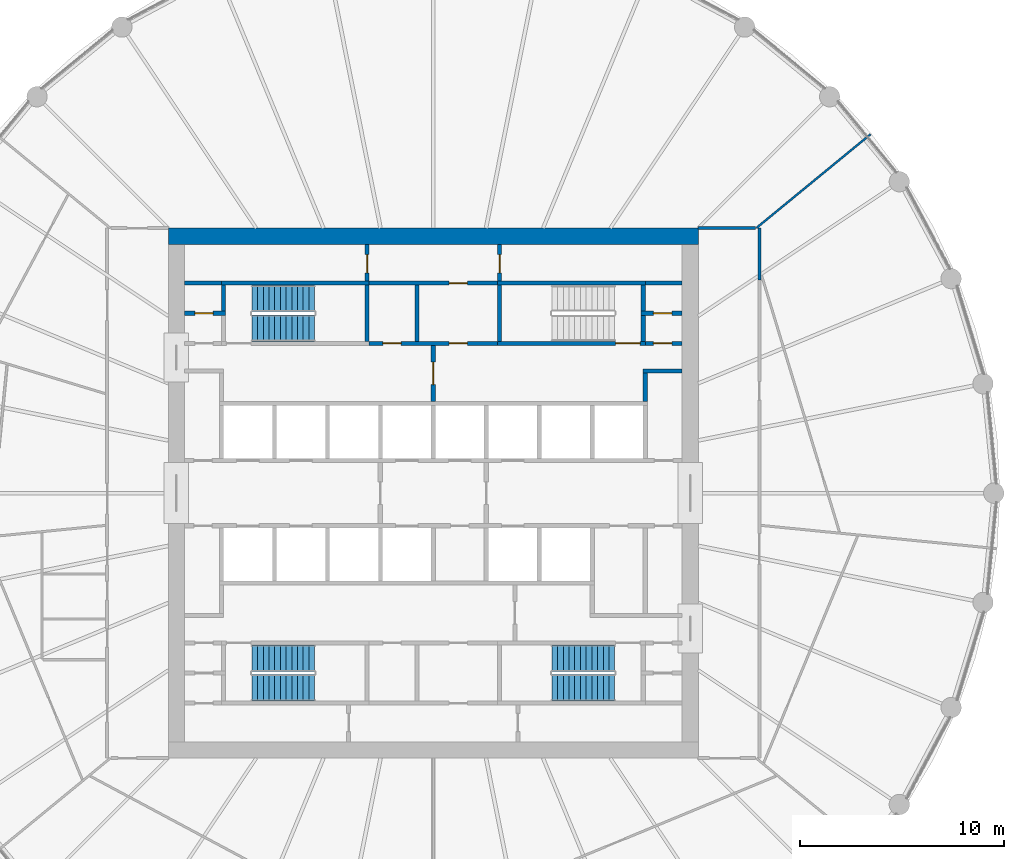
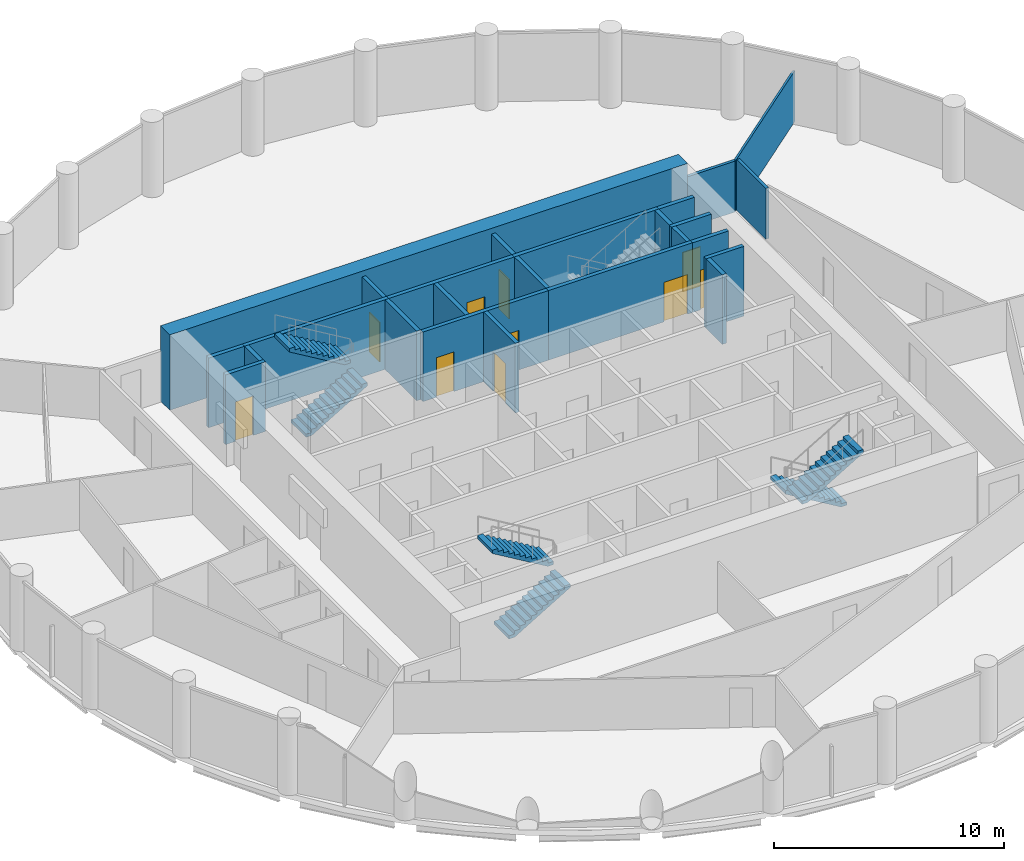
# One storey, part 7 of 9: 25 walls, 10 doors, 6 stair flights, 10 openings, 3 elements without a shape of their own.
"""IFC4 building model written with IfcOpenShell, lengths in metres."""

from ifc_helpers import new_model, si_unit, direction, frame, frame_2d, origin, place, context, subcontext, project, spatial, polyline, rectangle, outline, extrude, material, layer, layer_set, type_object, element, fill, aggregate, save


model = new_model("IFC4")

# Units and contexts
model_context = context("Model", 3, precision=1e-05, world=origin(), true_north=direction((0.0, 1.0)))
body_context = subcontext(model_context, "Body", "Model", "MODEL_VIEW")
ifc_project = project(units=[si_unit("LENGTHUNIT", "METRE"), si_unit("AREAUNIT", "SQUARE_METRE"), si_unit("VOLUMEUNIT", "CUBIC_METRE"), si_unit("PLANEANGLEUNIT", "RADIAN"), si_unit("MASSUNIT", "GRAM", prefix="KILO")], contexts=[model_context])

# Site, building, storey
site_placement = place(None, origin())
site = spatial("IfcSite", under=ifc_project, at=site_placement, CompositionType="ELEMENT")
building_placement = place(site_placement, origin())
building = spatial("IfcBuilding", under=site, at=building_placement, Name="Corvane Civic Tower", CompositionType="ELEMENT")
storey_placement = place(building_placement, frame((0.0, 0.0, 225.5)))
storey = spatial("IfcBuildingStorey", under=building, at=storey_placement, Name="L53", CompositionType="ELEMENT", Elevation=225.5)

# Wall
ifc_material_1 = material(Name="Concrete C50/60", Category="concrete")
ifc_layer_1 = layer(ifc_material_1, 0.800048828125)
ifc_layer_set_1 = layer_set([ifc_layer_1], Name="Concrete C50/60")
wall_type_1 = type_object("IfcWallType", Name="CORE WALL 800 C50/60", PredefinedType="SHEAR", material=ifc_layer_set_1)
wall_1_placement = place(storey_placement, frame((-13.0, 12.60009765625, 0.0), z_axis=(0.0, 0.0, 1.0), x_axis=(1.0, 0.0, 0.0)))
element("IfcWall", 1, at=wall_1_placement, inside=storey, type_object=wall_type_1, Name="W-L53-core-N", PredefinedType="SHEAR", context=body_context, shape_type="SweptSolid", body=[
    extrude(rectangle(XDim=26.0, YDim=0.800048828125, at=frame_2d((13.0, 0.0))), origin(), (0.0, 0.0, 1.0), 4.0),
])

# Wall, openings, doors
ifc_material_2 = material(Name="Concrete C30/37", Category="concrete")
ifc_layer_2 = layer(ifc_material_2, 0.199951171875)
ifc_layer_set_2 = layer_set([ifc_layer_2], Name="Concrete C30/37")
wall_type_2 = type_object("IfcWallType", Name="CR-WALL-200", PredefinedType="PARTITIONING", material=ifc_layer_set_2)
wall_2_placement = place(storey_placement, frame((-3.14990234375, 7.35009765625, 0.0), z_axis=(0.0, 0.0, 1.0), x_axis=(1.0, 0.0, 0.0)))
wall_2 = element("IfcWall", 2, at=wall_2_placement, inside=storey, type_object=wall_type_2, Name="L53 partition wall", PredefinedType="PARTITIONING", context=body_context, shape_type="SweptSolid", body=[
    extrude(rectangle(XDim=6.2998046875, YDim=0.199951171875, at=frame_2d((3.14990234375, 0.0))), origin(), (0.0, 0.0, 1.0), 3.699951171875),
])
opening_1_placement = place(wall_2_placement, frame((0.675048828125, 0.0, 0.0)))
opening_1 = element("IfcOpeningElement", 3, at=opening_1_placement, cuts=wall_2, Name="Opening L53.C07", PredefinedType="OPENING", context=body_context, shape_type="SweptSolid", body=[
    extrude(rectangle(XDim=0.89990234375, YDim=2.10009765625, at=frame_2d((0.449951171875, 1.050048828125))), frame((0.0, 0.10986328125, 0.0), z_axis=(0.0, -1.0, 0.0), x_axis=(1.0, 0.0, 0.0)), (0.0, 0.0, 1.0), 0.219970703125),
])
opening_2_placement = place(wall_2_placement, frame((3.925048828125, 0.0, 0.0)))
opening_2 = element("IfcOpeningElement", 4, at=opening_2_placement, cuts=wall_2, Name="Opening L53.C08", PredefinedType="OPENING", context=body_context, shape_type="SweptSolid", body=[
    extrude(rectangle(XDim=0.89990234375, YDim=2.10009765625, at=frame_2d((0.449951171875, 1.050048828125))), frame((0.0, 0.10986328125, 0.0), z_axis=(0.0, -1.0, 0.0), x_axis=(1.0, 0.0, 0.0)), (0.0, 0.0, 1.0), 0.219970703125),
])
ifc_material_3 = material(Name="Steel fire door leaf", Category="steel")
door_type_1 = type_object("IfcDoorType", Name="CR-DOOR-900", OperationType="SINGLE_SWING_LEFT", PredefinedType="DOOR", material=ifc_material_3)
door_1_placement = place(opening_1_placement, origin())
door_1 = element("IfcDoor", 5, at=door_1_placement, inside=storey, type_object=door_type_1, Name="L53 door", OperationType="SINGLE_SWING_LEFT", OverallHeight=2.10009765625, OverallWidth=0.89990234375, PredefinedType="DOOR", context=body_context, shape_type="SweptSolid", body=[
    extrude(rectangle(XDim=0.89990234375, YDim=2.10009765625, at=frame_2d((0.449951171875, 1.050048828125))), frame((0.0, 0.02490234375, 0.0), z_axis=(0.0, -1.0, 0.0), x_axis=(1.0, 0.0, 0.0)), (0.0, 0.0, 1.0), 0.050048828125),
])
fill(opening_1, door_1)
door_2_placement = place(opening_2_placement, origin())
door_2 = element("IfcDoor", 6, at=door_2_placement, inside=storey, type_object=door_type_1, Name="L53 door", OperationType="SINGLE_SWING_LEFT", OverallHeight=2.10009765625, OverallWidth=0.89990234375, PredefinedType="DOOR", context=body_context, shape_type="SweptSolid", body=[
    extrude(rectangle(XDim=0.89990234375, YDim=2.10009765625, at=frame_2d((0.449951171875, 1.050048828125))), frame((0.0, 0.02490234375, 0.0), z_axis=(0.0, -1.0, 0.0), x_axis=(1.0, 0.0, 0.0)), (0.0, 0.0, 1.0), 0.050048828125),
])
fill(opening_2, door_2)

# Wall, opening, door
wall_3_placement = place(storey_placement, frame((10.39990234375, 7.35009765625, 0.0), z_axis=(0.0, 0.0, 1.0), x_axis=(1.0, 0.0, 0.0)))
wall_3 = element("IfcWall", 7, at=wall_3_placement, inside=storey, type_object=wall_type_2, Name="L53 core partition wall", PredefinedType="PARTITIONING", context=body_context, shape_type="SweptSolid", body=[
    extrude(rectangle(XDim=1.800048828125, YDim=0.199951171875, at=frame_2d((0.89990234375, 0.0))), origin(), (0.0, 0.0, 1.0), 3.699951171875),
])
opening_3_placement = place(wall_3_placement, frame((0.39990234375, 0.0, 0.0)))
opening_3 = element("IfcOpeningElement", 8, at=opening_3_placement, cuts=wall_3, Name="Opening L53.C22", PredefinedType="OPENING", context=body_context, shape_type="SweptSolid", body=[
    extrude(rectangle(XDim=0.89990234375, YDim=2.10009765625, at=frame_2d((0.449951171875, 1.050048828125))), frame((0.0, 0.10986328125, 0.0), z_axis=(0.0, -1.0, 0.0), x_axis=(1.0, 0.0, 0.0)), (0.0, 0.0, 1.0), 0.219970703125),
])
door_3_placement = place(opening_3_placement, origin())
door_3 = element("IfcDoor", 9, at=door_3_placement, inside=storey, type_object=door_type_1, Name="L53 door", OperationType="SINGLE_SWING_LEFT", OverallHeight=2.10009765625, OverallWidth=0.89990234375, PredefinedType="DOOR", context=body_context, shape_type="SweptSolid", body=[
    extrude(rectangle(XDim=0.89990234375, YDim=2.10009765625, at=frame_2d((0.449951171875, 1.050048828125))), frame((0.0, 0.02490234375, 0.0), z_axis=(0.0, -1.0, 0.0), x_axis=(1.0, 0.0, 0.0)), (0.0, 0.0, 1.0), 0.050048828125),
])
fill(opening_3, door_3)

wall_4_placement = place(storey_placement, frame((-12.199951171875, 8.824951171875, 0.0), z_axis=(0.0, 0.0, 1.0), x_axis=(1.0, 0.0, 0.0)))
wall_4 = element("IfcWall", 10, at=wall_4_placement, inside=storey, type_object=wall_type_2, Name="L53 partition wall", PredefinedType="PARTITIONING", context=body_context, shape_type="SweptSolid", body=[
    extrude(rectangle(XDim=2.0, YDim=0.199951171875, at=frame_2d((1.0, 0.0))), origin(), (0.0, 0.0, 1.0), 3.699951171875),
])
opening_4_placement = place(wall_4_placement, frame((0.5, 0.0, 0.0)))
opening_4 = element("IfcOpeningElement", 11, at=opening_4_placement, cuts=wall_4, Name="Opening L53.C18", PredefinedType="OPENING", context=body_context, shape_type="SweptSolid", body=[
    extrude(rectangle(XDim=0.89990234375, YDim=2.10009765625, at=frame_2d((0.449951171875, 1.050048828125))), frame((0.0, 0.10986328125, 0.0), z_axis=(0.0, -1.0, 0.0), x_axis=(1.0, 0.0, 0.0)), (0.0, 0.0, 1.0), 0.219970703125),
])
door_4_placement = place(opening_4_placement, origin())
door_4 = element("IfcDoor", 12, at=door_4_placement, inside=storey, type_object=door_type_1, Name="L53 door", OperationType="SINGLE_SWING_LEFT", OverallHeight=2.10009765625, OverallWidth=0.89990234375, PredefinedType="DOOR", context=body_context, shape_type="SweptSolid", body=[
    extrude(rectangle(XDim=0.89990234375, YDim=2.10009765625, at=frame_2d((0.449951171875, 1.050048828125))), frame((0.0, 0.02490234375, 0.0), z_axis=(0.0, -1.0, 0.0), x_axis=(1.0, 0.0, 0.0)), (0.0, 0.0, 1.0), 0.050048828125),
])
fill(opening_4, door_4)

wall_5_placement = place(storey_placement, frame((10.199951171875, 8.824951171875, 0.0), z_axis=(0.0, 0.0, 1.0), x_axis=(1.0, 0.0, 0.0)))
wall_5 = element("IfcWall", 13, at=wall_5_placement, inside=storey, type_object=wall_type_2, Name="L53 partition wall", PredefinedType="PARTITIONING", context=body_context, shape_type="SweptSolid", body=[
    extrude(rectangle(XDim=2.0, YDim=0.199951171875, at=frame_2d((1.0, 0.0))), origin(), (0.0, 0.0, 1.0), 3.699951171875),
])
opening_5_placement = place(wall_5_placement, frame((0.60009765625, 0.0, 0.0)))
opening_5 = element("IfcOpeningElement", 14, at=opening_5_placement, cuts=wall_5, Name="Opening L53.C23", PredefinedType="OPENING", context=body_context, shape_type="SweptSolid", body=[
    extrude(rectangle(XDim=0.89990234375, YDim=2.10009765625, at=frame_2d((0.449951171875, 1.050048828125))), frame((0.0, 0.10986328125, 0.0), z_axis=(0.0, -1.0, 0.0), x_axis=(1.0, 0.0, 0.0)), (0.0, 0.0, 1.0), 0.219970703125),
])
door_5_placement = place(opening_5_placement, origin())
door_5 = element("IfcDoor", 15, at=door_5_placement, inside=storey, type_object=door_type_1, Name="L53 door", OperationType="SINGLE_SWING_LEFT", OverallHeight=2.10009765625, OverallWidth=0.89990234375, PredefinedType="DOOR", context=body_context, shape_type="SweptSolid", body=[
    extrude(rectangle(XDim=0.89990234375, YDim=2.10009765625, at=frame_2d((0.449951171875, 1.050048828125))), frame((0.0, 0.02490234375, 0.0), z_axis=(0.0, -1.0, 0.0), x_axis=(1.0, 0.0, 0.0)), (0.0, 0.0, 1.0), 0.050048828125),
])
fill(opening_5, door_5)

wall_6_placement = place(storey_placement, frame((-3.14990234375, 10.300048828125, 0.0), z_axis=(0.0, 0.0, 1.0), x_axis=(1.0, 0.0, 0.0)))
wall_6 = element("IfcWall", 16, at=wall_6_placement, inside=storey, type_object=wall_type_2, Name="L53 partition wall", PredefinedType="PARTITIONING", context=body_context, shape_type="SweptSolid", body=[
    extrude(rectangle(XDim=6.2998046875, YDim=0.199951171875, at=frame_2d((3.14990234375, 0.0))), origin(), (0.0, 0.0, 1.0), 3.699951171875),
])
opening_6_placement = place(wall_6_placement, frame((3.925048828125, 0.0, 0.0)))
opening_6 = element("IfcOpeningElement", 17, at=opening_6_placement, cuts=wall_6, Name="Opening L53.C12", PredefinedType="OPENING", context=body_context, shape_type="SweptSolid", body=[
    extrude(rectangle(XDim=0.89990234375, YDim=2.10009765625, at=frame_2d((0.449951171875, 1.050048828125))), frame((0.0, 0.10986328125, 0.0), z_axis=(0.0, -1.0, 0.0), x_axis=(1.0, 0.0, 0.0)), (0.0, 0.0, 1.0), 0.219970703125),
])
door_6_placement = place(opening_6_placement, origin())
door_6 = element("IfcDoor", 18, at=door_6_placement, inside=storey, type_object=door_type_1, Name="L53 door", OperationType="SINGLE_SWING_LEFT", OverallHeight=2.10009765625, OverallWidth=0.89990234375, PredefinedType="DOOR", context=body_context, shape_type="SweptSolid", body=[
    extrude(rectangle(XDim=0.89990234375, YDim=2.10009765625, at=frame_2d((0.449951171875, 1.050048828125))), frame((0.0, 0.02490234375, 0.0), z_axis=(0.0, -1.0, 0.0), x_axis=(1.0, 0.0, 0.0)), (0.0, 0.0, 1.0), 0.050048828125),
])
fill(opening_6, door_6)

wall_7_placement = place(storey_placement, frame((-3.25, 10.39990234375, 0.0), z_axis=(0.0, 0.0, 1.0), x_axis=(0.0, 1.0, 0.0)))
wall_7 = element("IfcWall", 19, at=wall_7_placement, inside=storey, type_object=wall_type_2, Name="L53 partition wall", PredefinedType="PARTITIONING", context=body_context, shape_type="SweptSolid", body=[
    extrude(rectangle(XDim=1.800048828125, YDim=0.199951171875, at=frame_2d((0.89990234375, 0.0))), origin(), (0.0, 0.0, 1.0), 3.699951171875),
])
opening_7_placement = place(wall_7_placement, frame((0.39990234375, 0.0, 0.0)))
opening_7 = element("IfcOpeningElement", 20, at=opening_7_placement, cuts=wall_7, Name="Opening L53.C11", PredefinedType="OPENING", context=body_context, shape_type="SweptSolid", body=[
    extrude(rectangle(XDim=0.89990234375, YDim=2.10009765625, at=frame_2d((0.449951171875, 1.050048828125))), frame((0.0, 0.10986328125, 0.0), z_axis=(0.0, -1.0, 0.0), x_axis=(1.0, 0.0, 0.0)), (0.0, 0.0, 1.0), 0.219970703125),
])
door_7_placement = place(opening_7_placement, origin())
door_7 = element("IfcDoor", 21, at=door_7_placement, inside=storey, type_object=door_type_1, Name="L53 door", OperationType="SINGLE_SWING_LEFT", OverallHeight=2.10009765625, OverallWidth=0.89990234375, PredefinedType="DOOR", context=body_context, shape_type="SweptSolid", body=[
    extrude(rectangle(XDim=0.89990234375, YDim=2.10009765625, at=frame_2d((0.449951171875, 1.050048828125))), frame((0.0, 0.02490234375, 0.0), z_axis=(0.0, -1.0, 0.0), x_axis=(1.0, 0.0, 0.0)), (0.0, 0.0, 1.0), 0.050048828125),
])
fill(opening_7, door_7)

wall_8_placement = place(storey_placement, frame((0.0, 4.5, 0.0), z_axis=(0.0, 0.0, 1.0), x_axis=(0.0, 1.0, 0.0)))
wall_8 = element("IfcWall", 22, at=wall_8_placement, inside=storey, type_object=wall_type_2, Name="L53 core partition wall", PredefinedType="PARTITIONING", context=body_context, shape_type="SweptSolid", body=[
    extrude(rectangle(XDim=2.75, YDim=0.199951171875, at=frame_2d((1.375, 0.0))), origin(), (0.0, 0.0, 1.0), 3.699951171875),
])
opening_8_placement = place(wall_8_placement, frame((0.824951171875, 0.0, 0.0)))
opening_8 = element("IfcOpeningElement", 23, at=opening_8_placement, cuts=wall_8, Name="Opening L53.C32", PredefinedType="OPENING", context=body_context, shape_type="SweptSolid", body=[
    extrude(rectangle(XDim=1.10009765625, YDim=2.10009765625, at=frame_2d((0.550048828125, 1.050048828125))), frame((0.0, 0.10986328125, 0.0), z_axis=(0.0, -1.0, 0.0), x_axis=(1.0, 0.0, 0.0)), (0.0, 0.0, 1.0), 0.219970703125),
])
ifc_material_4 = material(Name="Steel fire door leaf", Category="steel")
door_type_2 = type_object("IfcDoorType", Name="CR-DOOR-FFL-1100", OperationType="SINGLE_SWING_LEFT", PredefinedType="DOOR", material=ifc_material_4)
door_8_placement = place(opening_8_placement, origin())
door_8 = element("IfcDoor", 24, at=door_8_placement, inside=storey, type_object=door_type_2, Name="L53 lobby door", OperationType="SINGLE_SWING_LEFT", OverallHeight=2.10009765625, OverallWidth=1.10009765625, PredefinedType="DOOR", context=body_context, shape_type="SweptSolid", body=[
    extrude(rectangle(XDim=1.10009765625, YDim=2.10009765625, at=frame_2d((0.550048828125, 1.050048828125))), frame((0.0, 0.02490234375, 0.0), z_axis=(0.0, -1.0, 0.0), x_axis=(1.0, 0.0, 0.0)), (0.0, 0.0, 1.0), 0.050048828125),
])
fill(opening_8, door_8)

wall_9_placement = place(storey_placement, frame((3.25, 10.39990234375, 0.0), z_axis=(0.0, 0.0, 1.0), x_axis=(0.0, 1.0, 0.0)))
wall_9 = element("IfcWall", 25, at=wall_9_placement, inside=storey, type_object=wall_type_2, Name="L53 partition wall", PredefinedType="PARTITIONING", context=body_context, shape_type="SweptSolid", body=[
    extrude(rectangle(XDim=1.800048828125, YDim=0.199951171875, at=frame_2d((0.89990234375, 0.0))), origin(), (0.0, 0.0, 1.0), 3.699951171875),
])
opening_9_placement = place(wall_9_placement, frame((0.39990234375, 0.0, 0.0)))
opening_9 = element("IfcOpeningElement", 26, at=opening_9_placement, cuts=wall_9, Name="Opening L53.C13", PredefinedType="OPENING", context=body_context, shape_type="SweptSolid", body=[
    extrude(rectangle(XDim=0.89990234375, YDim=2.10009765625, at=frame_2d((0.449951171875, 1.050048828125))), frame((0.0, 0.10986328125, 0.0), z_axis=(0.0, -1.0, 0.0), x_axis=(1.0, 0.0, 0.0)), (0.0, 0.0, 1.0), 0.219970703125),
])
door_9_placement = place(opening_9_placement, origin())
door_9 = element("IfcDoor", 27, at=door_9_placement, inside=storey, type_object=door_type_1, Name="L53 door", OperationType="SINGLE_SWING_LEFT", OverallHeight=2.10009765625, OverallWidth=0.89990234375, PredefinedType="DOOR", context=body_context, shape_type="SweptSolid", body=[
    extrude(rectangle(XDim=0.89990234375, YDim=2.10009765625, at=frame_2d((0.449951171875, 1.050048828125))), frame((0.0, 0.02490234375, 0.0), z_axis=(0.0, -1.0, 0.0), x_axis=(1.0, 0.0, 0.0)), (0.0, 0.0, 1.0), 0.050048828125),
])
fill(opening_9, door_9)

# Walls
wall_10_placement = place(storey_placement, origin())
element("IfcWall", 28, at=wall_10_placement, inside=storey, type_object=wall_type_2, Name="L53 core partition wall", PredefinedType="PARTITIONING", context=body_context, shape_type="SweptSolid", body=[
    extrude(outline(polyline([(12.199951171875, 5.89990234375), (10.300048828125, 5.89990234375), (10.300048828125, 6.10009765625), (12.199951171875, 6.10009765625), (12.199951171875, 5.89990234375)])), origin(), (0.0, 0.0, 1.0), 3.699951171875),
])
wall_11_placement = place(storey_placement, origin())
element("IfcWall", 29, at=wall_11_placement, inside=storey, type_object=wall_type_2, Name="L53 core partition wall", PredefinedType="PARTITIONING", context=body_context, shape_type="SweptSolid", body=[
    extrude(outline(polyline([(10.5, 4.5), (10.300048828125, 4.5), (10.300048828125, 5.89990234375), (10.5, 5.89990234375), (10.5, 4.5)])), origin(), (0.0, 0.0, 1.0), 3.699951171875),
])
wall_12_placement = place(storey_placement, origin())
element("IfcWall", 30, at=wall_12_placement, inside=storey, type_object=wall_type_2, Name="L53 core partition wall", PredefinedType="PARTITIONING", context=body_context, shape_type="SweptSolid", body=[
    extrude(outline(polyline([(-10.39990234375, 10.199951171875), (-12.199951171875, 10.199951171875), (-12.199951171875, 10.39990234375), (-10.39990234375, 10.39990234375), (-10.39990234375, 10.199951171875)])), origin(), (0.0, 0.0, 1.0), 3.699951171875),
])
wall_13_placement = place(storey_placement, origin())
element("IfcWall", 31, at=wall_13_placement, inside=storey, type_object=wall_type_2, Name="L53 core partition wall", PredefinedType="PARTITIONING", context=body_context, shape_type="SweptSolid", body=[
    extrude(outline(polyline([(-0.699951171875, 7.449951171875), (-0.89990234375, 7.449951171875), (-0.89990234375, 10.199951171875), (-0.699951171875, 10.199951171875), (-0.699951171875, 7.449951171875)])), origin(), (0.0, 0.0, 1.0), 3.699951171875),
])
wall_14_placement = place(storey_placement, origin())
element("IfcWall", 32, at=wall_14_placement, inside=storey, type_object=wall_type_2, Name="L53 core partition wall", PredefinedType="PARTITIONING", context=body_context, shape_type="SweptSolid", body=[
    extrude(outline(polyline([(10.39990234375, 10.199951171875), (10.39990234375, 10.39990234375), (12.199951171875, 10.39990234375), (12.199951171875, 10.199951171875), (10.39990234375, 10.199951171875)])), origin(), (0.0, 0.0, 1.0), 3.699951171875),
])
ifc_material_5 = material(Name="Plasterboard")
ifc_layer_3 = layer(ifc_material_5, 0.10009765625)
ifc_layer_set_3 = layer_set([ifc_layer_3], Name="Plasterboard")
wall_type_3 = type_object("IfcWallType", Name="Partition 100 plasterboard on studs", PredefinedType="PARTITIONING", material=ifc_layer_set_3)
wall_15_placement = place(storey_placement, frame((15.8544921875, 13.01123046875, 0.0), z_axis=(0.0, 0.0, 1.0), x_axis=(0.772997895748, 0.634408585352, 0.0)))
element("IfcWall", 33, at=wall_15_placement, inside=storey, type_object=wall_type_3, Name="Partition L53.029", PredefinedType="PARTITIONING", context=body_context, shape_type="SweptSolid", body=[
    extrude(rectangle(XDim=7.240234375, YDim=0.10009765625, at=frame_2d((3.6201171875, 0.0))), origin(), (0.0, 0.0, 1.0), 2.699951171875),
])

# Wall, opening, door
ifc_material_6 = material(Name="Concrete C50/60", Category="concrete")
ifc_layer_4 = layer(ifc_material_6, 0.199951171875)
ifc_layer_set_4 = layer_set([ifc_layer_4], Name="Concrete C50/60")
wall_type_4 = type_object("IfcWallType", Name="ST-WALL-200", PredefinedType="SHEAR", material=ifc_layer_set_4)
wall_16_placement = place(storey_placement, frame((3.14990234375, 7.35009765625, 0.0), z_axis=(0.0, 0.0, 1.0), x_axis=(1.0, 0.0, 0.0)))
wall_16 = element("IfcWall", 34, at=wall_16_placement, inside=storey, type_object=wall_type_4, Name="L53 stair enclosure wall", PredefinedType="SHEAR", context=body_context, shape_type="SweptSolid", body=[
    extrude(rectangle(XDim=7.25, YDim=0.199951171875, at=frame_2d((3.625, 0.0))), origin(), (0.0, 0.0, 1.0), 3.699951171875),
])
opening_10_placement = place(wall_16_placement, frame((5.800048828125, 0.0, 0.0)))
opening_10 = element("IfcOpeningElement", 35, at=opening_10_placement, cuts=wall_16, Name="Opening L53.C26", PredefinedType="OPENING", context=body_context, shape_type="SweptSolid", body=[
    extrude(rectangle(XDim=1.199951171875, YDim=2.10009765625, at=frame_2d((0.60009765625, 1.050048828125))), frame((0.0, 0.10986328125, 0.0), z_axis=(0.0, -1.0, 0.0), x_axis=(1.0, 0.0, 0.0)), (0.0, 0.0, 1.0), 0.219970703125),
])
ifc_material_7 = material(Name="Steel fire door leaf", Category="steel")
door_type_3 = type_object("IfcDoorType", Name="ST-DOOR-1200", OperationType="SINGLE_SWING_RIGHT", PredefinedType="DOOR", material=ifc_material_7)
door_10_placement = place(opening_10_placement, origin())
door_10 = element("IfcDoor", 36, at=door_10_placement, inside=storey, type_object=door_type_3, Name="L53 stair door", OperationType="SINGLE_SWING_RIGHT", OverallHeight=2.10009765625, OverallWidth=1.199951171875, PredefinedType="DOOR", context=body_context, shape_type="SweptSolid", body=[
    extrude(rectangle(XDim=1.199951171875, YDim=2.10009765625, at=frame_2d((0.60009765625, 1.050048828125))), frame((0.0, 0.02490234375, 0.0), z_axis=(0.0, -1.0, 0.0), x_axis=(1.0, 0.0, 0.0)), (0.0, 0.0, 1.0), 0.050048828125),
])
fill(opening_10, door_10)

# Walls
wall_17_placement = place(storey_placement, origin())
element("IfcWall", 37, at=wall_17_placement, inside=storey, type_object=wall_type_4, Name="L53 stair enclosure wall", PredefinedType="SHEAR", context=body_context, shape_type="SweptSolid", body=[
    extrude(outline(polyline([(-3.14990234375, 10.199951171875), (-10.39990234375, 10.199951171875), (-10.39990234375, 10.39990234375), (-3.14990234375, 10.39990234375), (-3.14990234375, 10.199951171875)])), origin(), (0.0, 0.0, 1.0), 3.699951171875),
])
wall_18_placement = place(storey_placement, origin())
element("IfcWall", 38, at=wall_18_placement, inside=storey, type_object=wall_type_4, Name="L53 stair enclosure wall", PredefinedType="SHEAR", context=body_context, shape_type="SweptSolid", body=[
    extrude(outline(polyline([(10.39990234375, 10.199951171875), (3.14990234375, 10.199951171875), (3.14990234375, 10.39990234375), (10.39990234375, 10.39990234375), (10.39990234375, 10.199951171875)])), origin(), (0.0, 0.0, 1.0), 3.699951171875),
])
wall_19_placement = place(storey_placement, origin())
element("IfcWall", 39, at=wall_19_placement, inside=storey, type_object=wall_type_4, Name="L53 stair enclosure wall", PredefinedType="SHEAR", context=body_context, shape_type="SweptSolid", body=[
    extrude(outline(polyline([(-3.14990234375, 7.449951171875), (-3.35009765625, 7.449951171875), (-3.35009765625, 10.199951171875), (-3.14990234375, 10.199951171875), (-3.14990234375, 7.449951171875)])), origin(), (0.0, 0.0, 1.0), 3.699951171875),
])
wall_20_placement = place(storey_placement, origin())
element("IfcWall", 40, at=wall_20_placement, inside=storey, type_object=wall_type_4, Name="L53 stair enclosure wall", PredefinedType="SHEAR", context=body_context, shape_type="SweptSolid", body=[
    extrude(outline(polyline([(3.35009765625, 7.449951171875), (3.14990234375, 7.449951171875), (3.14990234375, 10.199951171875), (3.35009765625, 10.199951171875), (3.35009765625, 7.449951171875)])), origin(), (0.0, 0.0, 1.0), 3.699951171875),
])
wall_21_placement = place(storey_placement, origin())
element("IfcWall", 41, at=wall_21_placement, inside=storey, type_object=wall_type_4, Name="L53 stair enclosure wall", PredefinedType="SHEAR", context=body_context, shape_type="SweptSolid", body=[
    extrude(outline(polyline([(10.39990234375, 8.72509765625), (10.39990234375, 7.449951171875), (10.199951171875, 7.449951171875), (10.199951171875, 8.72509765625), (10.39990234375, 8.72509765625)])), origin(), (0.0, 0.0, 1.0), 3.699951171875),
])
wall_22_placement = place(storey_placement, origin())
element("IfcWall", 42, at=wall_22_placement, inside=storey, type_object=wall_type_4, Name="L53 stair enclosure wall", PredefinedType="SHEAR", context=body_context, shape_type="SweptSolid", body=[
    extrude(outline(polyline([(-10.199951171875, 8.925048828125), (-10.39990234375, 8.925048828125), (-10.39990234375, 10.199951171875), (-10.199951171875, 10.199951171875), (-10.199951171875, 8.925048828125)])), origin(), (0.0, 0.0, 1.0), 3.699951171875),
])
wall_23_placement = place(storey_placement, origin())
element("IfcWall", 43, at=wall_23_placement, inside=storey, type_object=wall_type_4, Name="L53 stair enclosure wall", PredefinedType="SHEAR", context=body_context, shape_type="SweptSolid", body=[
    extrude(outline(polyline([(10.39990234375, 8.925048828125), (10.199951171875, 8.925048828125), (10.199951171875, 10.199951171875), (10.39990234375, 10.199951171875), (10.39990234375, 8.925048828125)])), origin(), (0.0, 0.0, 1.0), 3.699951171875),
])
ifc_material_8 = material(Name="Plasterboard")
ifc_layer_5 = layer(ifc_material_8, 0.14990234375)
ifc_layer_set_5 = layer_set([ifc_layer_5], Name="Plasterboard")
wall_type_5 = type_object("IfcWallType", Name="Tenancy wall 150 EI 60", PredefinedType="PARTITIONING", material=ifc_layer_set_5)
wall_24_placement = place(storey_placement, frame((16.0, 10.459716796875, 0.0), z_axis=(0.0, 0.0, 1.0), x_axis=(0.0, 1.0, 0.0)))
element("IfcWall", 44, at=wall_24_placement, inside=storey, type_object=wall_type_5, Name="Partition L53.025", PredefinedType="PARTITIONING", context=body_context, shape_type="SweptSolid", body=[
    extrude(rectangle(XDim=2.540283203125, YDim=0.14990234375, at=frame_2d((1.27001953125, 0.0))), origin(), (0.0, 0.0, 1.0), 2.699951171875),
])
wall_25_placement = place(storey_placement, frame((12.989990234375, 13.0, 0.0), z_axis=(0.0, 0.0, 1.0), x_axis=(1.0, 0.0, 0.0)))
element("IfcWall", 45, at=wall_25_placement, inside=storey, type_object=wall_type_5, Name="Partition L53.027", PredefinedType="PARTITIONING", context=body_context, shape_type="SweptSolid", body=[
    extrude(rectangle(XDim=2.82373046875, YDim=0.14990234375, at=frame_2d((1.411865234375, 0.0))), origin(), (0.0, 0.0, 1.0), 2.699951171875),
])

# Stair, stair flights
ifc_material_9 = material(Name="Concrete C40/50", Category="concrete")
stair_type = type_object("IfcStairType", Name="ST-STAIR-HALFTURN", PredefinedType="HALF_TURN_STAIR", material=ifc_material_9)
stair_1_placement = place(storey_placement, origin())
stair_1 = element("IfcStair", 46, at=stair_1_placement, inside=storey, type_object=stair_type, Name="L53 Exit stair ST2", PredefinedType="HALF_TURN_STAIR")
ifc_material_10 = material(Name="Concrete C40/50", Category="concrete")
stair_flight_type = type_object("IfcStairFlightType", Name="ST-FLIGHT-RC", PredefinedType="STRAIGHT", material=ifc_material_10)
stair_flight_1_placement = place(storey_placement, frame((8.89990234375, -8.10009765625, 0.0), z_axis=(0.0, 0.0, 1.0), x_axis=(-1.0, 0.0, 0.0)))
stair_flight_1 = element("IfcStairFlight", 47, at=stair_flight_1_placement, type_object=stair_flight_type, Name="ST2 flight 1", NumberOfRisers=12, NumberOfTreads=11, PredefinedType="STRAIGHT", RiserHeight=0.166666667, TreadLength=0.28, context=body_context, shape_type="SweptSolid", body=[
    extrude(outline(polyline([(0.0, 0.0), (0.0, 0.166748046875), (0.280029296875, 0.166748046875), (0.280029296875, 0.333251953125), (0.56005859375, 0.333251953125), (0.56005859375, 0.5), (0.840087890625, 0.5), (0.840087890625, 0.666748046875), (1.1201171875, 0.666748046875), (1.1201171875, 0.833251953125), (1.39990234375, 0.833251953125), (1.39990234375, 1.0), (1.679931640625, 1.0), (1.679931640625, 1.166748046875), (1.9599609375, 1.166748046875), (1.9599609375, 1.333251953125), (2.239990234375, 1.333251953125), (2.239990234375, 1.5), (2.52001953125, 1.5), (2.52001953125, 1.666748046875), (2.800048828125, 1.666748046875), (2.800048828125, 1.833251953125), (3.080078125, 1.833251953125), (3.080078125, 2.0), (3.080078125, 1.658935546875), (0.29296875, 0.0), (0.0, 0.0)])), frame((0.0, 0.64990234375, 0.0), z_axis=(0.0, -1.0, 0.0), x_axis=(1.0, 0.0, 0.0)), (0.0, 0.0, 1.0), 1.300048828125),
])
stair_flight_2_placement = place(storey_placement, frame((5.820068359375, -9.550048828125, 2.0), z_axis=(0.0, 0.0, 1.0), x_axis=(1.0, 0.0, 0.0)))
stair_flight_2 = element("IfcStairFlight", 48, at=stair_flight_2_placement, type_object=stair_flight_type, Name="ST2 flight 2", NumberOfRisers=12, NumberOfTreads=11, PredefinedType="STRAIGHT", RiserHeight=0.166666667, TreadLength=0.28, context=body_context, shape_type="SweptSolid", body=[
    extrude(outline(polyline([(0.0, 0.0), (0.0, 0.166748046875), (0.280029296875, 0.166748046875), (0.280029296875, 0.333251953125), (0.56005859375, 0.333251953125), (0.56005859375, 0.5), (0.840087890625, 0.5), (0.840087890625, 0.666748046875), (1.1201171875, 0.666748046875), (1.1201171875, 0.833251953125), (1.39990234375, 0.833251953125), (1.39990234375, 1.0), (1.679931640625, 1.0), (1.679931640625, 1.166748046875), (1.9599609375, 1.166748046875), (1.9599609375, 1.333251953125), (2.239990234375, 1.333251953125), (2.239990234375, 1.5), (2.52001953125, 1.5), (2.52001953125, 1.666748046875), (2.800048828125, 1.666748046875), (2.800048828125, 1.833251953125), (3.080078125, 1.833251953125), (3.080078125, 2.0), (3.080078125, 1.658935546875), (0.29296875, 0.0), (0.0, 0.0)])), frame((0.0, 0.64990234375, 0.0), z_axis=(0.0, -1.0, 0.0), x_axis=(1.0, 0.0, 0.0)), (0.0, 0.0, 1.0), 1.300048828125),
])
aggregate(stair_1, [stair_flight_1, stair_flight_2])

stair_2_placement = place(storey_placement, origin())
stair_2 = element("IfcStair", 49, at=stair_2_placement, inside=storey, type_object=stair_type, Name="L53 Exit stair ST3", PredefinedType="HALF_TURN_STAIR")
stair_flight_3_placement = place(storey_placement, frame((-8.89990234375, -9.550048828125, 0.0), z_axis=(0.0, 0.0, 1.0), x_axis=(1.0, 0.0, 0.0)))
stair_flight_3 = element("IfcStairFlight", 50, at=stair_flight_3_placement, type_object=stair_flight_type, Name="ST3 flight 1", NumberOfRisers=12, NumberOfTreads=11, PredefinedType="STRAIGHT", RiserHeight=0.166666667, TreadLength=0.28, context=body_context, shape_type="SweptSolid", body=[
    extrude(outline(polyline([(0.0, 0.0), (0.0, 0.166748046875), (0.280029296875, 0.166748046875), (0.280029296875, 0.333251953125), (0.56005859375, 0.333251953125), (0.56005859375, 0.5), (0.840087890625, 0.5), (0.840087890625, 0.666748046875), (1.1201171875, 0.666748046875), (1.1201171875, 0.833251953125), (1.39990234375, 0.833251953125), (1.39990234375, 1.0), (1.679931640625, 1.0), (1.679931640625, 1.166748046875), (1.9599609375, 1.166748046875), (1.9599609375, 1.333251953125), (2.239990234375, 1.333251953125), (2.239990234375, 1.5), (2.52001953125, 1.5), (2.52001953125, 1.666748046875), (2.800048828125, 1.666748046875), (2.800048828125, 1.833251953125), (3.080078125, 1.833251953125), (3.080078125, 2.0), (3.080078125, 1.658935546875), (0.29296875, 0.0), (0.0, 0.0)])), frame((0.0, 0.64990234375, 0.0), z_axis=(0.0, -1.0, 0.0), x_axis=(1.0, 0.0, 0.0)), (0.0, 0.0, 1.0), 1.300048828125),
])
stair_flight_4_placement = place(storey_placement, frame((-5.820068359375, -8.10009765625, 2.0), z_axis=(0.0, 0.0, 1.0), x_axis=(-1.0, 0.0, 0.0)))
stair_flight_4 = element("IfcStairFlight", 51, at=stair_flight_4_placement, type_object=stair_flight_type, Name="ST3 flight 2", NumberOfRisers=12, NumberOfTreads=11, PredefinedType="STRAIGHT", RiserHeight=0.166666667, TreadLength=0.28, context=body_context, shape_type="SweptSolid", body=[
    extrude(outline(polyline([(0.0, 0.0), (0.0, 0.166748046875), (0.280029296875, 0.166748046875), (0.280029296875, 0.333251953125), (0.56005859375, 0.333251953125), (0.56005859375, 0.5), (0.840087890625, 0.5), (0.840087890625, 0.666748046875), (1.1201171875, 0.666748046875), (1.1201171875, 0.833251953125), (1.39990234375, 0.833251953125), (1.39990234375, 1.0), (1.679931640625, 1.0), (1.679931640625, 1.166748046875), (1.9599609375, 1.166748046875), (1.9599609375, 1.333251953125), (2.239990234375, 1.333251953125), (2.239990234375, 1.5), (2.52001953125, 1.5), (2.52001953125, 1.666748046875), (2.800048828125, 1.666748046875), (2.800048828125, 1.833251953125), (3.080078125, 1.833251953125), (3.080078125, 2.0), (3.080078125, 1.658935546875), (0.29296875, 0.0), (0.0, 0.0)])), frame((0.0, 0.64990234375, 0.0), z_axis=(0.0, -1.0, 0.0), x_axis=(1.0, 0.0, 0.0)), (0.0, 0.0, 1.0), 1.300048828125),
])
aggregate(stair_2, [stair_flight_3, stair_flight_4])

stair_3_placement = place(storey_placement, origin())
stair_3 = element("IfcStair", 52, at=stair_3_placement, inside=storey, type_object=stair_type, Name="L53 Exit stair ST4", PredefinedType="HALF_TURN_STAIR")
stair_flight_5_placement = place(storey_placement, frame((-8.89990234375, 8.10009765625, 0.0), z_axis=(0.0, 0.0, 1.0), x_axis=(1.0, 0.0, 0.0)))
stair_flight_5 = element("IfcStairFlight", 53, at=stair_flight_5_placement, type_object=stair_flight_type, Name="ST4 flight 1", NumberOfRisers=12, NumberOfTreads=11, PredefinedType="STRAIGHT", RiserHeight=0.166666667, TreadLength=0.28, context=body_context, shape_type="SweptSolid", body=[
    extrude(outline(polyline([(0.0, 0.0), (0.0, 0.166748046875), (0.280029296875, 0.166748046875), (0.280029296875, 0.333251953125), (0.56005859375, 0.333251953125), (0.56005859375, 0.5), (0.840087890625, 0.5), (0.840087890625, 0.666748046875), (1.1201171875, 0.666748046875), (1.1201171875, 0.833251953125), (1.39990234375, 0.833251953125), (1.39990234375, 1.0), (1.679931640625, 1.0), (1.679931640625, 1.166748046875), (1.9599609375, 1.166748046875), (1.9599609375, 1.333251953125), (2.239990234375, 1.333251953125), (2.239990234375, 1.5), (2.52001953125, 1.5), (2.52001953125, 1.666748046875), (2.800048828125, 1.666748046875), (2.800048828125, 1.833251953125), (3.080078125, 1.833251953125), (3.080078125, 2.0), (3.080078125, 1.658935546875), (0.29296875, 0.0), (0.0, 0.0)])), frame((0.0, 0.64990234375, 0.0), z_axis=(0.0, -1.0, 0.0), x_axis=(1.0, 0.0, 0.0)), (0.0, 0.0, 1.0), 1.300048828125),
])
stair_flight_6_placement = place(storey_placement, frame((-5.820068359375, 9.550048828125, 2.0), z_axis=(0.0, 0.0, 1.0), x_axis=(-1.0, 0.0, 0.0)))
stair_flight_6 = element("IfcStairFlight", 54, at=stair_flight_6_placement, type_object=stair_flight_type, Name="ST4 flight 2", NumberOfRisers=12, NumberOfTreads=11, PredefinedType="STRAIGHT", RiserHeight=0.166666667, TreadLength=0.28, context=body_context, shape_type="SweptSolid", body=[
    extrude(outline(polyline([(0.0, 0.0), (0.0, 0.166748046875), (0.280029296875, 0.166748046875), (0.280029296875, 0.333251953125), (0.56005859375, 0.333251953125), (0.56005859375, 0.5), (0.840087890625, 0.5), (0.840087890625, 0.666748046875), (1.1201171875, 0.666748046875), (1.1201171875, 0.833251953125), (1.39990234375, 0.833251953125), (1.39990234375, 1.0), (1.679931640625, 1.0), (1.679931640625, 1.166748046875), (1.9599609375, 1.166748046875), (1.9599609375, 1.333251953125), (2.239990234375, 1.333251953125), (2.239990234375, 1.5), (2.52001953125, 1.5), (2.52001953125, 1.666748046875), (2.800048828125, 1.666748046875), (2.800048828125, 1.833251953125), (3.080078125, 1.833251953125), (3.080078125, 2.0), (3.080078125, 1.658935546875), (0.29296875, 0.0), (0.0, 0.0)])), frame((0.0, 0.64990234375, 0.0), z_axis=(0.0, -1.0, 0.0), x_axis=(1.0, 0.0, 0.0)), (0.0, 0.0, 1.0), 1.300048828125),
])
aggregate(stair_3, [stair_flight_5, stair_flight_6])

save(model, "model.ifc")
